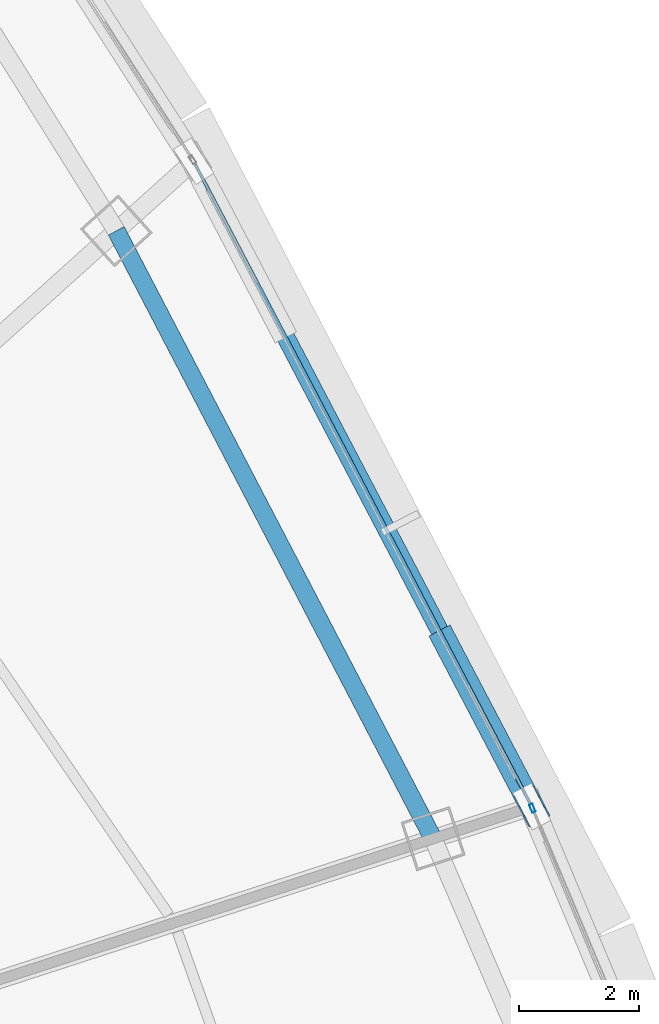
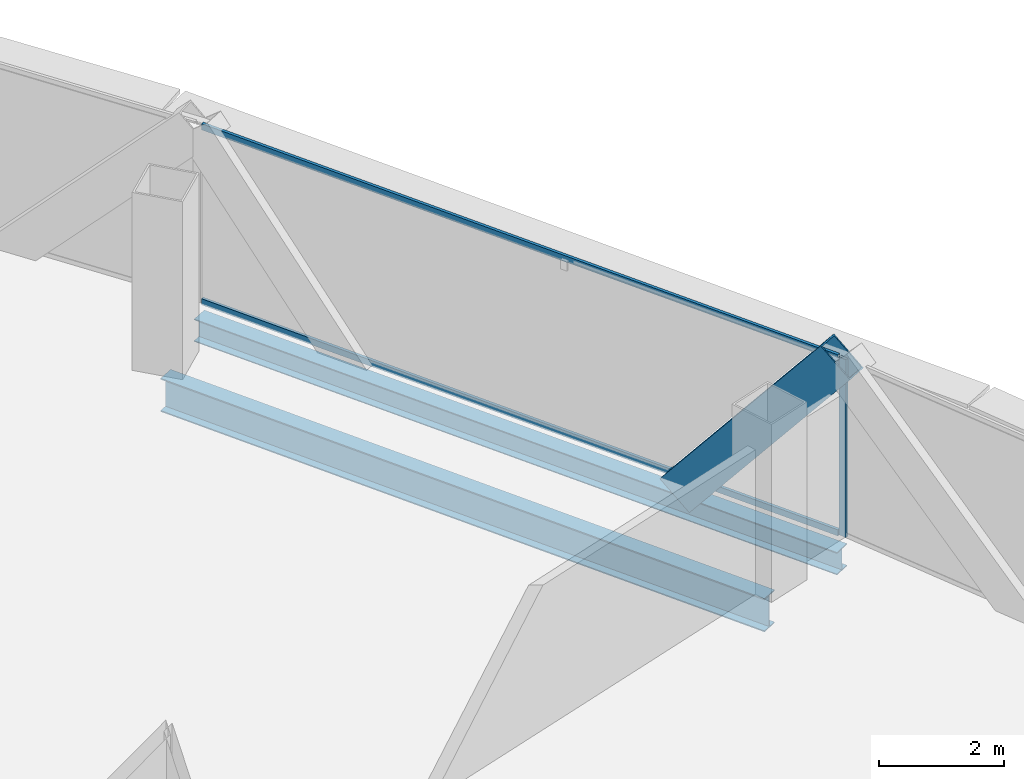
# One storey, part 16 of 37: 4 members, 2 beams, 2 elements without a shape of their own.
"""IFC4 building model written with IfcOpenShell, lengths in metres."""

from ifc_helpers import new_model, si_unit, direction, frame, origin, origin_2d, place, context, subcontext, project, spatial, hollow_rectangle, i_section, extrude, source, transform, mapped, material, layer, layer_set, material_profile, profile_set, type_object, element, aggregate, save


model = new_model("IFC4")

# Units and contexts
model_context = context("Model", 3, precision=1e-05, world=origin(), true_north=direction((0.0, 1.0)))
body_context = subcontext(model_context, "Body", "Model", "MODEL_VIEW")
ifc_project = project(units=[si_unit("LENGTHUNIT", "METRE"), si_unit("AREAUNIT", "SQUARE_METRE"), si_unit("VOLUMEUNIT", "CUBIC_METRE"), si_unit("PLANEANGLEUNIT", "RADIAN"), si_unit("MASSUNIT", "GRAM", prefix="KILO"), si_unit("THERMODYNAMICTEMPERATUREUNIT", "KELVIN"), si_unit("POWERUNIT", "WATT")], contexts=[model_context])

# Site, building, storey
site_placement = place(None, origin())
site = spatial("IfcSite", under=ifc_project, at=site_placement, CompositionType="ELEMENT")
building_placement = place(site_placement, origin())
building = spatial("IfcBuilding", under=site, at=building_placement, Name="Yunzhuo Pagoda Commons", CompositionType="ELEMENT")
storey_placement = place(building_placement, frame((0.0, 0.0, 251.989990234375)))
storey = spatial("IfcBuildingStorey", under=building, at=storey_placement, Name="L63", CompositionType="ELEMENT", Elevation=251.989990234375)

# Beams
ifc_material_1 = material(Name="Structural steel Q355B", Category="steel")
ifc_material_profile_1 = material_profile(ifc_material_1, i_section(OverallWidth=0.300048828125, OverallDepth=0.64990234375, WebThickness=0.012939453125, FlangeThickness=0.02197265625, at=origin_2d()), Name="Structural steel Q355B")
ifc_profile_set_1 = profile_set([ifc_material_profile_1], Name="Structural steel Q355B")
beam_type_1 = type_object("IfcBeamType", Name="B-RG2 Beam HN 650x300x13x22", PredefinedType="BEAM", material=ifc_profile_set_1)
shared_shape_1 = source(origin(), body_context, "Body", "SweptSolid", [
    extrude(i_section(OverallWidth=0.300048828125, OverallDepth=0.64990234375, WebThickness=0.012939453125, FlangeThickness=0.02197265625, at=origin_2d()), origin(), (0.0, 0.0, 1.0), 11.43896484375),
])
beam_1_placement = place(storey_placement, frame((73.898681640625, 42.114990234375, -0.5849609375), z_axis=(-0.462175736513, 0.886788356136, 0.0), x_axis=(-0.886788356136, -0.462175736513, 0.0)))
element("IfcBeam", 1, at=beam_1_placement, inside=storey, type_object=beam_type_1, Name="L63 column-ring beam 6", PredefinedType="BEAM", context=body_context, shape_type="MappedRepresentation", body=[
    mapped(shared_shape_1, transform((0.0, 0.0, 0.0), scale=1.0)),
])
ifc_material_profile_2 = material_profile(ifc_material_1, i_section(OverallWidth=0.300048828125, OverallDepth=0.43994140625, WebThickness=0.010986328125, FlangeThickness=0.01806640625, at=origin_2d()), Name="Structural steel Q355B")
ifc_profile_set_2 = profile_set([ifc_material_profile_2], Name="Structural steel Q355B")
beam_type_2 = type_object("IfcBeamType", Name="B-SP2 Beam HM 440x300x11x18", PredefinedType="BEAM", material=ifc_profile_set_2)
shared_shape_2 = source(origin(), body_context, "Body", "SweptSolid", [
    extrude(i_section(OverallWidth=0.300048828125, OverallDepth=0.43994140625, WebThickness=0.010986328125, FlangeThickness=0.01806640625, at=origin_2d()), origin(), (0.0, 0.0, 1.0), 12.159423828125),
])
beam_2_placement = place(storey_placement, frame((75.546142578125, 42.650390625, -0.47998046875), z_axis=(-0.464166790658, 0.885747814251, 0.0), x_axis=(-0.885747814251, -0.464166790658, 0.0)))
element("IfcBeam", 2, at=beam_2_placement, inside=storey, type_object=beam_type_2, Name="L63 facade edge spandrel beam F2.2", PredefinedType="BEAM", context=body_context, shape_type="MappedRepresentation", body=[
    mapped(shared_shape_2, transform((0.0, 0.0, 0.0), scale=1.0)),
])

# Member
ifc_material_profile_3 = material_profile(ifc_material_1, hollow_rectangle(XDim=0.39990234375, YDim=0.719970703125, WallThickness=0.02392578125, at=origin_2d()), Name="Structural steel Q355B")
ifc_profile_set_3 = profile_set([ifc_material_profile_3], Name="Structural steel Q355B")
member_type_1 = type_object("IfcMemberType", Name="M-DL2 Brace BOX 720x400x24", PredefinedType="BRACE", material=ifc_profile_set_3)
shared_shape_3 = source(origin(), body_context, "Body", "SweptSolid", [
    extrude(hollow_rectangle(XDim=0.39990234375, YDim=0.719970703125, WallThickness=0.02392578125, at=origin_2d()), origin(), (0.0, 0.0, 1.0), 4.811767578125),
])
member_1_placement = place(storey_placement, frame((74.135009765625, 45.343017578125, -0.259765625), z_axis=(0.293271078731, -0.559599779813, 0.775138800998), x_axis=(0.885735630591, 0.464190039425, 0.0)))
element("IfcMember", 3, at=member_1_placement, inside=storey, type_object=member_type_1, Name="L63 facade diamond brace F2.2L", PredefinedType="BRACE", context=body_context, shape_type="MappedRepresentation", body=[
    mapped(shared_shape_3, transform((0.0, 0.0, 0.0), scale=1.0)),
])

# Curtain wall, member
ifc_material_2 = material(Name="Anodized aluminium 6063-T6", Category="aluminium")
ifc_layer = layer(ifc_material_2, 0.139892578125)
ifc_layer_set = layer_set([ifc_layer], Name="Anodized aluminium 6063-T6")
curtain_wall_type = type_object("IfcCurtainWallType", Name="CW-HI High-Zone Ribbon Curtain Wall", PredefinedType="NOTDEFINED", material=ifc_layer_set)
curtain_wall_1_placement = place(storey_placement, origin())
curtain_wall_1 = element("IfcCurtainWall", 4, at=curtain_wall_1_placement, inside=storey, type_object=curtain_wall_type, Name="L63 curtain wall CW-L63-F2B2", PredefinedType="NOTDEFINED")
ifc_material_profile_4 = material_profile(ifc_material_2, hollow_rectangle(XDim=0.06005859375, YDim=0.139892578125, WallThickness=0.00341796875, at=origin_2d()), Name="Anodized aluminium 6063-T6")
ifc_profile_set_4 = profile_set([ifc_material_profile_4], Name="Anodized aluminium 6063-T6")
member_type_2 = type_object("IfcMemberType", Name="CW-HI-M Mullion RHS 140x60x3.5", PredefinedType="MULLION", material=ifc_profile_set_4)
shared_shape_4 = source(origin(), body_context, "Body", "SweptSolid", [
    extrude(hollow_rectangle(XDim=0.06005859375, YDim=0.139892578125, WallThickness=0.00341796875, at=origin_2d()), origin(), (0.0, 0.0, 1.0), 3.469970703125),
])
member_2_placement = place(storey_placement, frame((75.5576171875, 42.62255859375, 0.0), z_axis=(0.0, 0.0, 1.0), x_axis=(-0.922450521644, -0.38611531324, 0.0)))
member_2 = element("IfcMember", 5, at=member_2_placement, type_object=member_type_2, Name="CW mullion 2", PredefinedType="MULLION", context=body_context, shape_type="MappedRepresentation", body=[
    mapped(shared_shape_4, transform((0.0, 0.0, 0.0), scale=1.0)),
])
aggregate(curtain_wall_1, [member_2])

# Curtain wall, members
curtain_wall_2_placement = place(storey_placement, origin())
curtain_wall_2 = element("IfcCurtainWall", 6, at=curtain_wall_2_placement, inside=storey, type_object=curtain_wall_type, Name="L63 curtain wall CW-L63-F2B3", PredefinedType="NOTDEFINED")
ifc_material_profile_5 = material_profile(ifc_material_2, hollow_rectangle(XDim=0.054931640625, YDim=0.1201171875, WallThickness=0.00341796875, at=origin_2d()), Name="Anodized aluminium 6063-T6")
ifc_profile_set_5 = profile_set([ifc_material_profile_5], Name="Anodized aluminium 6063-T6")
member_type_3 = type_object("IfcMemberType", Name="CW-HI-T Transom RHS 120x55x3.5", PredefinedType="USERDEFINED", material=ifc_profile_set_5)
shared_shape_5 = source(origin(), body_context, "Body", "SweptSolid", [
    extrude(hollow_rectangle(XDim=0.054931640625, YDim=0.1201171875, WallThickness=0.00341796875, at=origin_2d()), origin(), (0.0, 0.0, 1.0), 12.039794921875),
])
member_3_placement = place(storey_placement, frame((75.5185546875, 42.703369140625, 0.027587890625), z_axis=(-0.464182018036, 0.885739834337, 0.0), x_axis=(-0.885739834337, -0.464182018036, 0.0)))
member_3 = element("IfcMember", 7, at=member_3_placement, type_object=member_type_3, Name="CW transom 1.1", ObjectType="TRANSOM", PredefinedType="USERDEFINED", context=body_context, shape_type="MappedRepresentation", body=[
    mapped(shared_shape_5, transform((0.0, 0.0, 0.0), scale=1.0)),
])
member_4_placement = place(storey_placement, frame((75.5185546875, 42.703369140625, 3.442626953125), z_axis=(-0.464182018036, 0.885739834337, 0.0), x_axis=(-0.885739834337, -0.464182018036, 0.0)))
member_4 = element("IfcMember", 8, at=member_4_placement, type_object=member_type_3, Name="CW transom 1.2", ObjectType="TRANSOM", PredefinedType="USERDEFINED", context=body_context, shape_type="MappedRepresentation", body=[
    mapped(shared_shape_5, transform((0.0, 0.0, 0.0), scale=1.0)),
])
aggregate(curtain_wall_2, [member_3, member_4])

save(model, "model.ifc")
